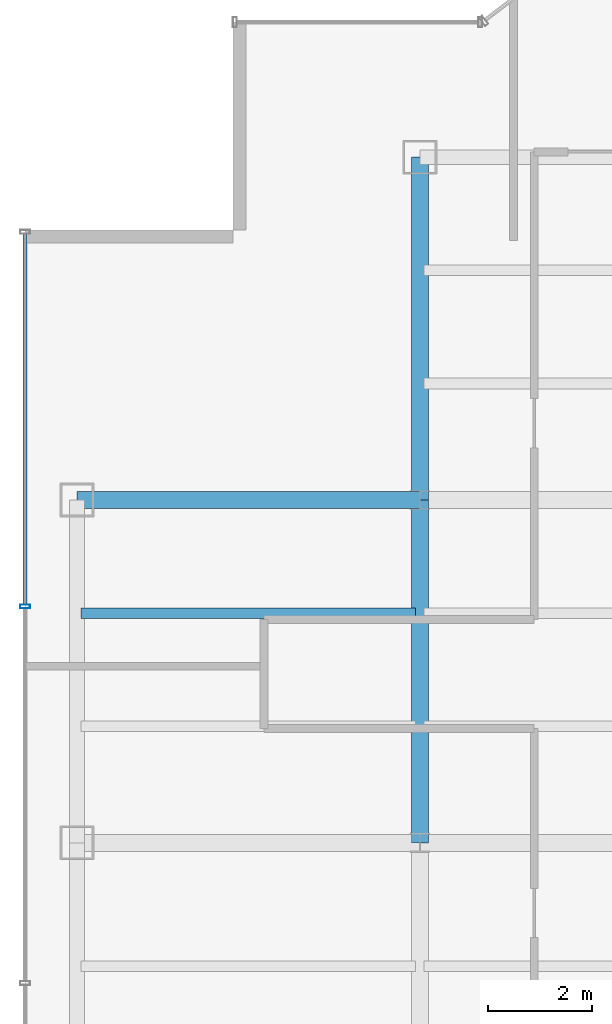
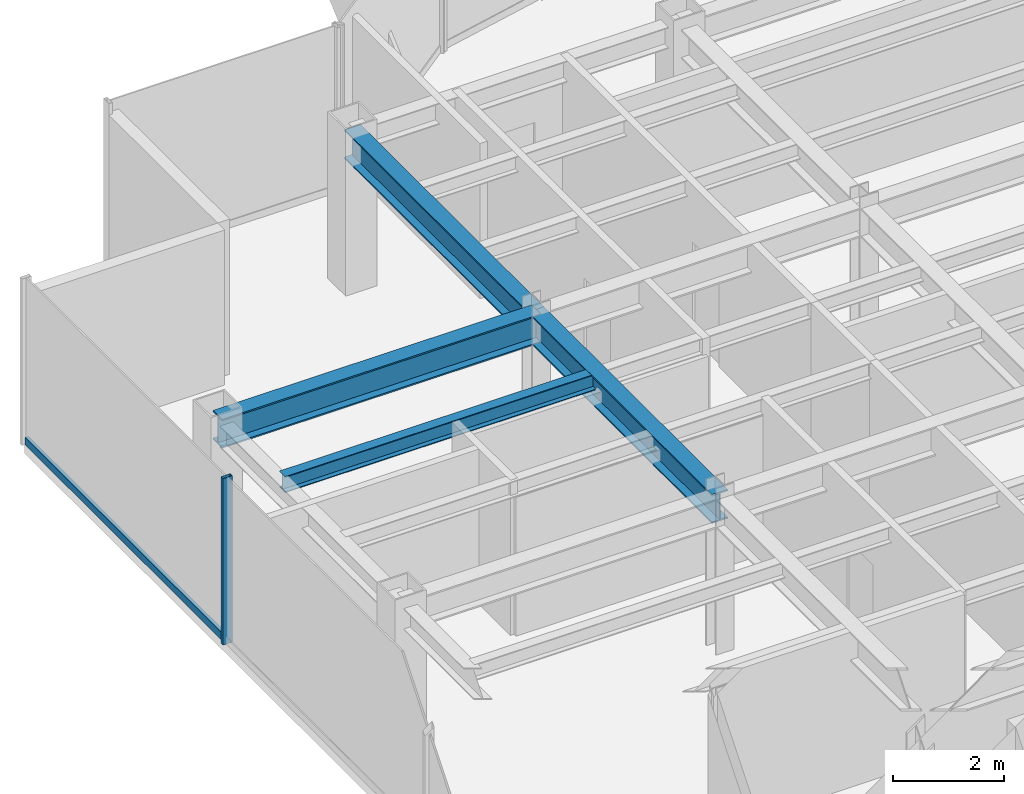
# One storey, part 7 of 23: 4 beams, 2 members, 1 element without a shape of its own.
"""IFC4 building model written with IfcOpenShell, lengths in metres."""

import ifcopenshell
import ifcopenshell.guid

model = None  # the IFC model being written
_history = None  # IfcOwnerHistory: only IFC2X3 demands one
_inside = {}  # id of a spatial element -> (the spatial element, [elements in it])
_under = {}  # id of a project, library or spatial element -> (it, [spatial elements below it])
_declared = {}  # id of a project -> (the project, [libraries it declares])
_typed = {}  # id of a type object -> (the type object, [elements of that type])
_made_of = {}  # id of a material, layer set ... -> (it, [elements and type objects made of it])


def new_model(schema):
    """Start an empty IFC model of exactly this schema.

    Asked for "IFC4X3", IfcOpenShell would pick the latest addendum, in which some entities
    have other attributes; the version numbers below select the first issue.
    IFC2X3 requires an IfcOwnerHistory on every rooted entity: one is made here for all.
    """
    global model, _history
    if schema == "IFC4X3":
        model = ifcopenshell.file(schema_version=(4, 3, 0, 0))
    else:
        model = ifcopenshell.file(schema=schema)
    _inside.clear()
    _under.clear()
    _declared.clear()
    _typed.clear()
    _made_of.clear()
    _history = None
    if model.schema == "IFC2X3":
        org = make("IfcOrganization", Name="unknown")
        user = make(
            "IfcPersonAndOrganization",
            ThePerson=make("IfcPerson", FamilyName="unknown"),
            TheOrganization=org,
        )
        app = make(
            "IfcApplication",
            ApplicationDeveloper=org,
            Version="unknown",
            ApplicationFullName="unknown",
            ApplicationIdentifier="unknown",
        )
        _history = make(
            "IfcOwnerHistory",
            OwningUser=user,
            OwningApplication=app,
            ChangeAction="ADDED",
            CreationDate=0,
        )
    return model


def make(cls, **values):
    """One entity of the class cls with the attributes given. An attribute that is None is left unset."""
    return model.create_entity(
        cls, **{name: value for name, value in values.items() if value is not None}
    )


def rooted(cls, **values):
    """An entity with a GlobalId (a new one), such as an element, a storey or a relation."""
    return make(cls, GlobalId=ifcopenshell.guid.new(), OwnerHistory=_history, **values)


def si_unit(unit_type, name, prefix=None):
    """IfcSIUnit, for example si_unit("LENGTHUNIT", "METRE", prefix="MILLI")."""
    return make("IfcSIUnit", UnitType=unit_type, Prefix=prefix, Name=name)


def derived_unit(unit_type, elements):
    """IfcDerivedUnit: a product of units, each with its exponent."""
    return make(
        "IfcDerivedUnit",
        Elements=[
            make("IfcDerivedUnitElement", Unit=unit, Exponent=power)
            for unit, power in elements
        ],
        UnitType=unit_type,
    )


def assignment(units):
    """IfcUnitAssignment: the units of a project."""
    return None if units is None else make("IfcUnitAssignment", Units=units)


def point(xyz):
    """IfcCartesianPoint."""
    return None if xyz is None else make("IfcCartesianPoint", Coordinates=xyz)


def direction(xyz):
    """IfcDirection."""
    return None if xyz is None else make("IfcDirection", DirectionRatios=xyz)


def frame(location, z_axis=None, x_axis=None):
    """IfcAxis2Placement3D, a coordinate frame: its origin and axes. An axis left out is left unset."""
    return make(
        "IfcAxis2Placement3D",
        Location=point(location),
        Axis=direction(z_axis),
        RefDirection=direction(x_axis),
    )


def frame_2d(location, x_axis=None):
    """IfcAxis2Placement2D, a coordinate frame in the plane: its origin and x axis."""
    return make(
        "IfcAxis2Placement2D", Location=point(location), RefDirection=direction(x_axis)
    )


def origin():
    """The frame at (0, 0, 0) with its axes left unset."""
    return frame((0.0, 0.0, 0.0))


def origin_2d():
    """The frame at (0, 0) in the plane with its x axis left unset."""
    return frame_2d((0.0, 0.0))


def place(relative_to, where):
    """IfcLocalPlacement: puts the frame where relative to a parent placement (None: the world)."""
    return make(
        "IfcLocalPlacement", PlacementRelTo=relative_to, RelativePlacement=where
    )


def context(
    kind, dimensions, precision=None, world=None, true_north=None, identifier=None
):
    """IfcGeometricRepresentationContext, for example the 3D "Model" context."""
    return make(
        "IfcGeometricRepresentationContext",
        ContextIdentifier=identifier,
        ContextType=kind,
        CoordinateSpaceDimension=dimensions,
        Precision=precision,
        WorldCoordinateSystem=world,
        TrueNorth=true_north,
    )


def subcontext(parent, identifier, kind, view, scale=None):
    """IfcGeometricRepresentationSubContext, for example "Body" below "Model"."""
    return make(
        "IfcGeometricRepresentationSubContext",
        ContextIdentifier=identifier,
        ContextType=kind,
        ParentContext=parent,
        TargetScale=scale,
        TargetView=view,
    )


def project(units=None, contexts=None):
    """IfcProject with its units and contexts."""
    return rooted(
        "IfcProject",
        Name="project",
        RepresentationContexts=contexts,
        UnitsInContext=assignment(units),
    )


def spatial(cls, under=None, at=None, **own):
    """A site, building, storey or space (cls), placed at a placement, below another one or the project."""
    s = rooted(cls, ObjectPlacement=at, **own)
    if under is not None:
        _under.setdefault(under.id(), (under, []))[1].append(s)
    return s


def profile(cls, at=None, kind="AREA", **sizes):
    """A parametric profile (cls). Its sizes go by their IFC names, for example OverallWidth=200.0."""
    return make(cls, ProfileType=kind, Position=at, **sizes)


def hollow_rectangle(**sizes):
    """IfcRectangleHollowProfileDef."""
    return profile("IfcRectangleHollowProfileDef", **sizes)


def i_section(**sizes):
    """IfcIShapeProfileDef."""
    return profile("IfcIShapeProfileDef", **sizes)


def extrude(swept, where, along, depth):
    """IfcExtrudedAreaSolid: the profile swept, set in the frame where, extruded along a direction by depth."""
    return make(
        "IfcExtrudedAreaSolid",
        SweptArea=swept,
        Position=where,
        ExtrudedDirection=direction(along),
        Depth=depth,
    )


def shape(context_of_items, identifier, shape_type, items):
    """IfcShapeRepresentation: the items that make up one representation, for example the "Body"."""
    return make(
        "IfcShapeRepresentation",
        ContextOfItems=context_of_items,
        RepresentationIdentifier=identifier,
        RepresentationType=shape_type,
        Items=items,
    )


def source(mapping_origin, context_of_items, identifier, shape_type, items):
    """IfcRepresentationMap: a shape defined once, which mapped items show again and again."""
    return make(
        "IfcRepresentationMap",
        MappingOrigin=mapping_origin,
        MappedRepresentation=shape(context_of_items, identifier, shape_type, items),
    )


def transform(
    local_origin,
    x_axis=None,
    y_axis=None,
    z_axis=None,
    scale=None,
    scale2=None,
    scale3=None,
    uniform=True,
):
    """IfcCartesianTransformationOperator3D, or its non-uniform kind. x_axis, y_axis, z_axis: its Axis1, 2, 3."""
    if uniform:
        return make(
            "IfcCartesianTransformationOperator3D",
            Axis1=direction(x_axis),
            Axis2=direction(y_axis),
            LocalOrigin=point(local_origin),
            Scale=scale,
            Axis3=direction(z_axis),
        )
    return make(
        "IfcCartesianTransformationOperator3DnonUniform",
        Axis1=direction(x_axis),
        Axis2=direction(y_axis),
        LocalOrigin=point(local_origin),
        Scale=scale,
        Axis3=direction(z_axis),
        Scale2=scale2,
        Scale3=scale3,
    )


def mapped(mapping_source, mapping_target):
    """IfcMappedItem: shows the shape of a source again, moved by a transform."""
    return make(
        "IfcMappedItem", MappingSource=mapping_source, MappingTarget=mapping_target
    )


def material(Name=None, Category=None):
    """IfcMaterial."""
    return make("IfcMaterial", Name=Name, Category=Category)


def material_profile(
    of_material, cross_section, Name=None, Category=None, Priority=None
):
    """IfcMaterialProfile: a cross section and its material."""
    return make(
        "IfcMaterialProfile",
        Name=Name,
        Material=of_material,
        Profile=cross_section,
        Priority=Priority,
        Category=Category,
    )


def profile_set(profiles, Name=None, composite=None):
    """IfcMaterialProfileSet."""
    return make(
        "IfcMaterialProfileSet",
        Name=Name,
        MaterialProfiles=profiles,
        CompositeProfile=composite,
    )


def made_of(thing, what):
    """Note that an element or type object is made of a material, layer set ...; save() writes the relation."""
    if what is not None:
        _made_of.setdefault(what.id(), (what, []))[1].append(thing)
    return thing


def type_object(cls, material=None, **own):
    """A type object (cls), such as IfcWallType, which elements share."""
    return made_of(rooted(cls, **own), material)


def element(
    cls,
    number,
    at=None,
    inside=None,
    cuts=None,
    type_object=None,
    material=None,
    context=None,
    identifier="Body",
    shape_type=None,
    held_by="IfcProductDefinitionShape",
    body=None,
    shapes=None,
    **own,
):
    """One element of the class cls, such as IfcWall. Its Tag is "e" and its number.

    at: its placement. inside: the storey or other place that contains it. cuts: it is an
    opening in that element (IfcRelVoidsElement). A single representation is given by context,
    identifier, shape_type and body (its items); several are given by shapes. held_by: the class
    of the entity that holds the representations. save() writes the other relations.
    """
    e = rooted(cls, Tag="e%d" % number, ObjectPlacement=at, **own)
    if body is not None:
        shapes = [shape(context, identifier, shape_type, body)]
    if shapes is not None:
        e.Representation = make(held_by, Representations=shapes)
    if inside is not None:
        _inside.setdefault(inside.id(), (inside, []))[1].append(e)
    if cuts is not None:
        rooted(
            "IfcRelVoidsElement", RelatingBuildingElement=cuts, RelatedOpeningElement=e
        )
    if type_object is not None:
        _typed.setdefault(type_object.id(), (type_object, []))[1].append(e)
    return made_of(e, material)


def aggregate(whole, parts):
    """IfcRelAggregates: a whole, such as a stair, and the parts it consists of."""
    return rooted("IfcRelAggregates", RelatingObject=whole, RelatedObjects=parts)


def save(model, path):
    """Write the relations noted so far, then the file.

    IfcRelAggregates (storeys below a building ...), IfcRelContainedInSpatialStructure (elements
    in a storey), IfcRelDefinesByType, IfcRelAssociatesMaterial and IfcRelDeclares: one each for
    every whole, place, type object, material and project.
    """
    for whole, parts in _under.values():
        aggregate(whole, parts)
    for where, things in _inside.values():
        rooted(
            "IfcRelContainedInSpatialStructure",
            RelatedElements=things,
            RelatingStructure=where,
        )
    for kind, things in _typed.values():
        rooted("IfcRelDefinesByType", RelatedObjects=things, RelatingType=kind)
    for what, things in _made_of.values():
        rooted("IfcRelAssociatesMaterial", RelatedObjects=things, RelatingMaterial=what)
    for by, libraries in _declared.values():
        rooted("IfcRelDeclares", RelatingContext=by, RelatedDefinitions=libraries)
    model.write(path)


model = new_model("IFC4")

# Units and contexts
model_context = context("Model", 3, precision=1e-05, world=origin(), true_north=direction((0.0, 1.0)))
body_context = subcontext(model_context, "Body", "Model", "MODEL_VIEW")
ifc_project = project(units=[si_unit("LENGTHUNIT", "METRE"), si_unit("AREAUNIT", "SQUARE_METRE"), si_unit("VOLUMEUNIT", "CUBIC_METRE"), si_unit("PLANEANGLEUNIT", "RADIAN"), si_unit("MASSUNIT", "GRAM", prefix="KILO"), derived_unit("THERMALTRANSMITTANCEUNIT", [(si_unit("POWERUNIT", "WATT"), 1), (si_unit("LENGTHUNIT", "METRE"), -2), (si_unit("THERMODYNAMICTEMPERATUREUNIT", "KELVIN"), -1)])], contexts=[model_context])

# Site, building, storey
site_placement = place(None, origin())
site = spatial("IfcSite", under=ifc_project, at=site_placement, CompositionType="ELEMENT")
building_placement = place(site_placement, origin())
building = spatial("IfcBuilding", under=site, at=building_placement, Name="Skarnbrae Concourse Arena and Tower", CompositionType="ELEMENT")
storey_placement = place(building_placement, frame((0.0, 0.0, 140.60009765625)))
storey = spatial("IfcBuildingStorey", under=building, at=storey_placement, Name="L35", CompositionType="ELEMENT", Elevation=140.60009765625)

# Beams
ifc_material_1 = material(Name="Steel CSA G40.21 350W", Category="steel")
ifc_material_profile_1 = material_profile(ifc_material_1, i_section(OverallWidth=0.3291015625, OverallDepth=0.635009765625, WebThickness=0.017822265625, FlangeThickness=0.031005859375, at=origin_2d()), Name="W610X241")
ifc_profile_set_1 = profile_set([ifc_material_profile_1], Name="Steel CSA G40.21 350W")
beam_type_1 = type_object("IfcBeamType", Name="BM-GIRD-W610X241", PredefinedType="BEAM", material=ifc_profile_set_1)
shared_shape_1 = source(origin(), body_context, "Body", "SweptSolid", [
    extrude(i_section(OverallWidth=0.3291015625, OverallDepth=0.635009765625, WebThickness=0.017822265625, FlangeThickness=0.031005859375, at=origin_2d()), origin(), (0.0, 0.0, 1.0), 6.60009765625),
])
for number, where, z_axis, x_axis, name in (
    (1, (1.0, 27.800048828125, 3.08251953125), (1.0, 0.0, 0.0), (0.0, 1.0, 0.0), "L35 Primary E-W girder Y27.8-1"),
    (2, (7.60009765625, 21.199951171875, 3.08251953125), (0.0, 1.0, 0.0), (-1.0, 0.0, 0.0), "L35 Primary N-S girder X7.6-2"),
):
    element("IfcBeam", number, at=place(storey_placement, frame(where, z_axis=z_axis, x_axis=x_axis)), inside=storey, type_object=beam_type_1, Name=name, PredefinedType="BEAM", context=body_context, shape_type="MappedRepresentation", body=[
        mapped(shared_shape_1, transform((0.0, 0.0, 0.0))),
    ])
shared_shape_2 = source(origin(), body_context, "Body", "SweptSolid", [
    extrude(i_section(OverallWidth=0.3291015625, OverallDepth=0.635009765625, WebThickness=0.017822265625, FlangeThickness=0.031005859375, at=origin_2d()), origin(), (0.0, 0.0, 1.0), 6.599853515625),
])
beam_1_placement = place(storey_placement, frame((7.60009765625, 27.800048828125, 3.08251953125), z_axis=(0.0, 1.0, 0.0), x_axis=(-1.0, 0.0, 0.0)))
element("IfcBeam", 3, at=beam_1_placement, inside=storey, type_object=beam_type_1, Name="L35 Primary N-S girder X7.6-3", PredefinedType="BEAM", context=body_context, shape_type="MappedRepresentation", body=[
    mapped(shared_shape_2, transform((0.0, 0.0, 0.0))),
])
ifc_material_profile_2 = material_profile(ifc_material_1, i_section(OverallWidth=0.205078125, OverallDepth=0.35400390625, WebThickness=0.009521484375, FlangeThickness=0.016845703125, at=origin_2d()), Name="W360X79")
ifc_profile_set_2 = profile_set([ifc_material_profile_2], Name="Steel CSA G40.21 350W")
beam_type_2 = type_object("IfcBeamType", Name="BM-JOIST-W360X79", PredefinedType="JOIST", material=ifc_profile_set_2)
shared_shape_3 = source(origin(), body_context, "Body", "SweptSolid", [
    extrude(i_section(OverallWidth=0.205078125, OverallDepth=0.35400390625, WebThickness=0.009521484375, FlangeThickness=0.016845703125, at=origin_2d()), origin(), (0.0, 0.0, 1.0), 6.43994140625),
])
beam_2_placement = place(storey_placement, frame((1.080078125, 25.6220703125, 3.222900390625), z_axis=(1.0, 0.0, 0.0), x_axis=(0.0, 1.0, 0.0)))
element("IfcBeam", 4, at=beam_2_placement, inside=storey, type_object=beam_type_2, Name="L35 Secondary floor joist 2.2.1", PredefinedType="JOIST", context=body_context, shape_type="MappedRepresentation", body=[
    mapped(shared_shape_3, transform((0.0, 0.0, 0.0))),
])

# Curtain wall, members
ifc_material_2 = material(Name="Bronze anodised aluminium 6063-T6", Category="aluminium")
curtain_wall_type = type_object("IfcCurtainWallType", Name="CW-SYS-04-MIDZONE", PredefinedType="USERDEFINED", material=ifc_material_2)
curtain_wall_placement = place(storey_placement, origin())
curtain_wall = element("IfcCurtainWall", 5, at=curtain_wall_placement, inside=storey, type_object=curtain_wall_type, Name="L35 Unitised curtain wall CW-L35-E18", ObjectType="UNITISED CURTAIN WALL", PredefinedType="USERDEFINED")
ifc_material_profile_3 = material_profile(ifc_material_2, hollow_rectangle(XDim=0.074951171875, YDim=0.195068359375, WallThickness=0.00439453125, at=origin_2d()), Name="ALU-MULL-75X195")
ifc_profile_set_3 = profile_set([ifc_material_profile_3], Name="Bronze anodised aluminium 6063-T6")
member_type_1 = type_object("IfcMemberType", Name="CWM-CW-04", PredefinedType="MULLION", material=ifc_profile_set_3)
shared_shape_4 = source(origin(), body_context, "Body", "SweptSolid", [
    extrude(hollow_rectangle(XDim=0.074951171875, YDim=0.195068359375, WallThickness=0.00439453125, at=origin_2d()), origin(), (0.0, 0.0, 1.0), 3.64990234375),
])
member_1_placement = place(storey_placement, frame((0.0, 25.75, 0.0), z_axis=(0.0, 0.0, 1.0), x_axis=(0.0, -1.0, 0.0)))
member_1 = element("IfcMember", 6, at=member_1_placement, type_object=member_type_1, Name="CW-L35-E18 Mullion 2", PredefinedType="MULLION", context=body_context, shape_type="MappedRepresentation", body=[
    mapped(shared_shape_4, transform((0.0, 0.0, 0.0))),
])
ifc_material_profile_4 = material_profile(ifc_material_2, hollow_rectangle(XDim=0.074951171875, YDim=0.159912109375, WallThickness=0.00439453125, at=origin_2d()), Name="ALU-TRAN-75X160")
ifc_profile_set_4 = profile_set([ifc_material_profile_4], Name="Bronze anodised aluminium 6063-T6")
member_type_2 = type_object("IfcMemberType", Name="CWT-CW-04", PredefinedType="USERDEFINED", material=ifc_profile_set_4)
shared_shape_5 = source(origin(), body_context, "Body", "SweptSolid", [
    extrude(hollow_rectangle(XDim=0.074951171875, YDim=0.159912109375, WallThickness=0.00439453125, at=origin_2d()), origin(), (0.0, 0.0, 1.0), 7.137451171875),
])
member_2_placement = place(storey_placement, frame((0.0, 32.925048828125, 0.079833984375), z_axis=(0.0, -1.0, 0.0), x_axis=(1.0, 0.0, 0.0)))
member_2 = element("IfcMember", 7, at=member_2_placement, type_object=member_type_2, Name="CW-L35-E18 Transom 1", ObjectType="TRANSOM", PredefinedType="USERDEFINED", context=body_context, shape_type="MappedRepresentation", body=[
    mapped(shared_shape_5, transform((0.0, 0.0, 0.0))),
])
aggregate(curtain_wall, [member_1, member_2])

save(model, "model.ifc")
